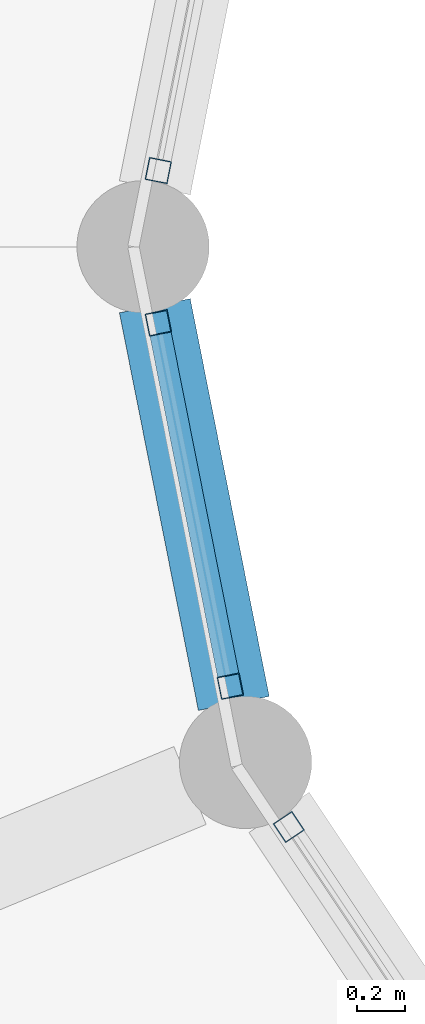
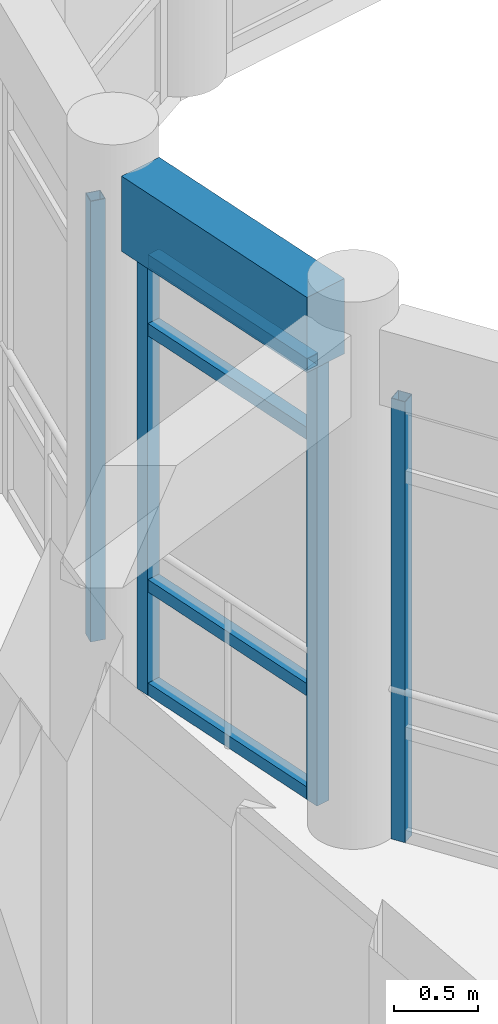
# One storey, part 26 of 112: 8 members, 1 beam, 3 elements without a shape of their own.
"""IFC4 building model written with IfcOpenShell, lengths in metres."""

from ifc_helpers import new_model, si_unit, direction, frame, origin, origin_2d, place, context, subcontext, project, spatial, rectangle, hollow_rectangle, extrude, material, material_profile, profile_set, type_object, element, aggregate, save


model = new_model("IFC4")

# Units and contexts
model_context = context("Model", 3, precision=1e-05, world=origin(), true_north=direction((0.0, 1.0)))
body_context = subcontext(model_context, "Body", "Model", "MODEL_VIEW")
ifc_project = project(units=[si_unit("LENGTHUNIT", "METRE"), si_unit("AREAUNIT", "SQUARE_METRE"), si_unit("VOLUMEUNIT", "CUBIC_METRE"), si_unit("PLANEANGLEUNIT", "RADIAN"), si_unit("MASSUNIT", "GRAM", prefix="KILO")], contexts=[model_context])

# Site, building, storey
site_placement = place(None, origin())
site = spatial("IfcSite", under=ifc_project, at=site_placement, CompositionType="ELEMENT")
building_placement = place(site_placement, origin())
building = spatial("IfcBuilding", under=site, at=building_placement, Name="Celadon Cloister-Ring School", CompositionType="ELEMENT")
storey_placement = place(building_placement, frame((0.0, 0.0, 8.5)))
storey = spatial("IfcBuildingStorey", under=building, at=storey_placement, Name="L02", CompositionType="ELEMENT", Elevation=8.5)

# Curtain wall, member
ifc_material_1 = material(Name="Aluminium EN AW-6063 T6", Category="aluminium")
curtain_wall_type = type_object("IfcCurtainWallType", Name="CW-04", PredefinedType="USERDEFINED", material=ifc_material_1)
curtain_wall_1_placement = place(storey_placement, origin())
curtain_wall_1 = element("IfcCurtainWall", 1, at=curtain_wall_1_placement, inside=storey, type_object=curtain_wall_type, Name="Curtain Wall 0108", ObjectType="CURTAIN WALL", PredefinedType="USERDEFINED")
ifc_material_2 = material(Name="Aluminium EN AW-6063 T6", Category="aluminium")
ifc_material_profile_1 = material_profile(ifc_material_2, hollow_rectangle(XDim=0.094970703125, YDim=0.094970703125, WallThickness=0.00390625, at=origin_2d()), Name="RHS95X95X4")
ifc_profile_set_1 = profile_set([ifc_material_profile_1], Name="Aluminium EN AW-6063 T6")
member_type_1 = type_object("IfcMemberType", Name="CM-02", PredefinedType="MULLION", material=ifc_profile_set_1)
member_1_placement = place(storey_placement, frame((14.663330078125, 97.316650390625, 0.0), z_axis=(0.0, 0.0, 1.0), x_axis=(0.980885435464, -0.194586131301, 0.0)))
member_1 = element("IfcMember", 2, at=member_1_placement, type_object=member_type_1, Name="CW-04 mullion 2", PredefinedType="MULLION", context=body_context, shape_type="SweptSolid", body=[
    extrude(hollow_rectangle(XDim=0.094970703125, YDim=0.094970703125, WallThickness=0.00390625, at=origin_2d()), origin(), (0.0, 0.0, 1.0), 3.221923828125),
])
aggregate(curtain_wall_1, [member_1])

# Curtain wall, members
curtain_wall_2_placement = place(storey_placement, origin())
curtain_wall_2 = element("IfcCurtainWall", 3, at=curtain_wall_2_placement, inside=storey, type_object=curtain_wall_type, Name="Curtain Wall 0109", ObjectType="CURTAIN WALL", PredefinedType="USERDEFINED")
member_2_placement = place(storey_placement, frame((14.663330078125, 96.683349609375, 0.0), z_axis=(0.0, 0.0, 1.0), x_axis=(0.980885435464, 0.194586131301, 0.0)))
member_2 = element("IfcMember", 4, at=member_2_placement, type_object=member_type_1, Name="CW-04 mullion 1", PredefinedType="MULLION", context=body_context, shape_type="SweptSolid", body=[
    extrude(hollow_rectangle(XDim=0.094970703125, YDim=0.094970703125, WallThickness=0.00390625, at=origin_2d()), origin(), (0.0, 0.0, 1.0), 3.221923828125),
])
member_3_placement = place(storey_placement, frame((14.962646484375, 95.173583984375, 0.0), z_axis=(0.0, 0.0, 1.0), x_axis=(0.980885435464, 0.194586131301, 0.0)))
member_3 = element("IfcMember", 5, at=member_3_placement, type_object=member_type_1, Name="CW-04 mullion 2", PredefinedType="MULLION", context=body_context, shape_type="SweptSolid", body=[
    extrude(hollow_rectangle(XDim=0.094970703125, YDim=0.094970703125, WallThickness=0.00390625, at=origin_2d()), origin(), (0.0, 0.0, 1.0), 3.221923828125),
])

# Curtain wall, member
curtain_wall_3_placement = place(storey_placement, origin())
curtain_wall_3 = element("IfcCurtainWall", 6, at=curtain_wall_3_placement, inside=storey, type_object=curtain_wall_type, Name="Curtain Wall 0110", ObjectType="CURTAIN WALL", PredefinedType="USERDEFINED")
member_4_placement = place(storey_placement, frame((15.205322265625, 94.588623046875, 0.0), z_axis=(0.0, 0.0, 1.0), x_axis=(0.831485091394, 0.555547066224, 0.0)))
member_4 = element("IfcMember", 7, at=member_4_placement, type_object=member_type_1, Name="CW-04 mullion 1", PredefinedType="MULLION", context=body_context, shape_type="SweptSolid", body=[
    extrude(hollow_rectangle(XDim=0.094970703125, YDim=0.094970703125, WallThickness=0.00390625, at=origin_2d()), origin(), (0.0, 0.0, 1.0), 3.221923828125),
])
aggregate(curtain_wall_3, [member_4])

# Member
ifc_material_3 = material(Name="Aluminium EN AW-6063 T6", Category="aluminium")
ifc_material_profile_2 = material_profile(ifc_material_3, hollow_rectangle(XDim=0.090087890625, YDim=0.090087890625, WallThickness=0.00390625, at=origin_2d()), Name="RHS90X90X4")
ifc_profile_set_2 = profile_set([ifc_material_profile_2], Name="Aluminium EN AW-6063 T6")
member_type_2 = type_object("IfcMemberType", Name="CTM-02", PredefinedType="USERDEFINED", material=ifc_profile_set_2)
member_5_placement = place(storey_placement, frame((14.672607421875, 96.63671875, 0.044921875), z_axis=(0.194587856315, -0.980885093257, 0.0), x_axis=(0.980885093257, 0.194587856315, 0.0)))
member_5 = element("IfcMember", 8, at=member_5_placement, type_object=member_type_2, Name="CW-04 transom 1.1", ObjectType="TRANSOM", PredefinedType="USERDEFINED", context=body_context, shape_type="SweptSolid", body=[
    extrude(hollow_rectangle(XDim=0.090087890625, YDim=0.090087890625, WallThickness=0.00390625, at=origin_2d()), origin(), (0.0, 0.0, 1.0), 1.444091796875),
])

member_6_placement = place(storey_placement, frame((14.672607421875, 96.63671875, 0.800048828125), z_axis=(0.194587856315, -0.980885093257, 0.0), x_axis=(0.980885093257, 0.194587856315, 0.0)))
member_6 = element("IfcMember", 9, at=member_6_placement, type_object=member_type_2, Name="CW-04 transom 1.2", ObjectType="TRANSOM", PredefinedType="USERDEFINED", context=body_context, shape_type="SweptSolid", body=[
    extrude(hollow_rectangle(XDim=0.090087890625, YDim=0.090087890625, WallThickness=0.00390625, at=origin_2d()), origin(), (0.0, 0.0, 1.0), 1.444091796875),
])

member_7_placement = place(storey_placement, frame((14.672607421875, 96.63671875, 2.672119140625), z_axis=(0.194587856315, -0.980885093257, 0.0), x_axis=(0.980885093257, 0.194587856315, 0.0)))
member_7 = element("IfcMember", 10, at=member_7_placement, type_object=member_type_2, Name="CW-04 transom 1.3", ObjectType="TRANSOM", PredefinedType="USERDEFINED", context=body_context, shape_type="SweptSolid", body=[
    extrude(hollow_rectangle(XDim=0.090087890625, YDim=0.090087890625, WallThickness=0.00390625, at=origin_2d()), origin(), (0.0, 0.0, 1.0), 1.444091796875),
])

member_8_placement = place(storey_placement, frame((14.672607421875, 96.63671875, 3.177001953125), z_axis=(0.194587856315, -0.980885093257, 0.0), x_axis=(0.980885093257, 0.194587856315, 0.0)))
member_8 = element("IfcMember", 11, at=member_8_placement, type_object=member_type_2, Name="CW-04 transom 1.4", ObjectType="TRANSOM", PredefinedType="USERDEFINED", context=body_context, shape_type="SweptSolid", body=[
    extrude(hollow_rectangle(XDim=0.090087890625, YDim=0.090087890625, WallThickness=0.00390625, at=origin_2d()), origin(), (0.0, 0.0, 1.0), 1.444091796875),
])

aggregate(curtain_wall_2, [member_2, member_3, member_5, member_6, member_7, member_8])

# Beam
ifc_material_4 = material(Name="Concrete C35/45", Category="concrete")
ifc_material_profile_3 = material_profile(ifc_material_4, rectangle(XDim=0.300048828125, YDim=0.550048828125, at=origin_2d()), Name="RC300X550")
ifc_profile_set_3 = profile_set([ifc_material_profile_3], Name="Concrete C35/45")
beam_type = type_object("IfcBeamType", Name="SP-02", PredefinedType="SPANDREL", material=ifc_profile_set_3)
beam_placement = place(storey_placement, frame((14.64892578125, 96.7548828125, 3.5048828125), z_axis=(0.194722830887, -0.980858307367, 0.0), x_axis=(0.980858307367, 0.194722830887, 0.0)))
element("IfcBeam", 12, at=beam_placement, inside=storey, type_object=beam_type, Name="Beam 0785", PredefinedType="SPANDREL", context=body_context, shape_type="SweptSolid", body=[
    extrude(rectangle(XDim=0.300048828125, YDim=0.550048828125, at=origin_2d()), origin(), (0.0, 0.0, 1.0), 1.68505859375),
])

save(model, "model.ifc")
